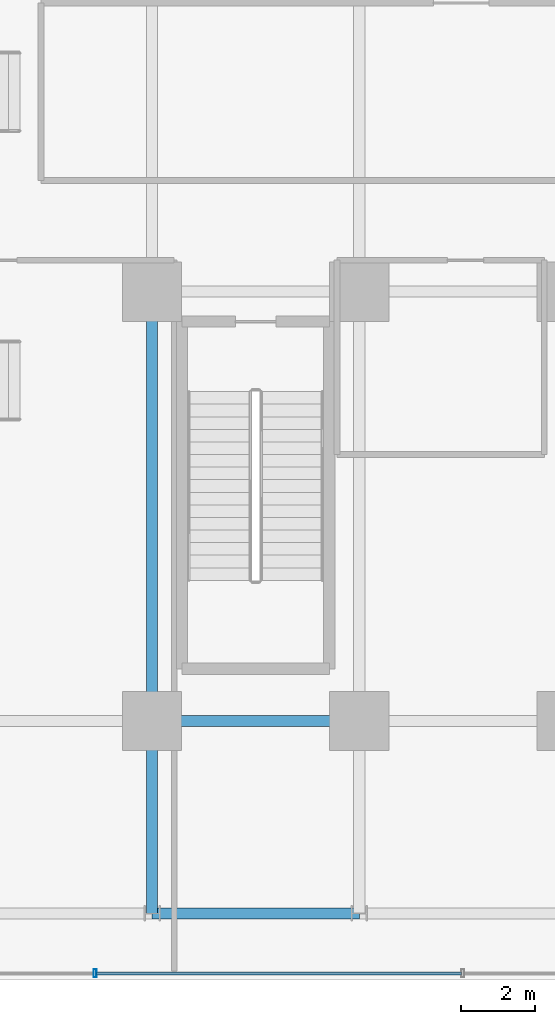
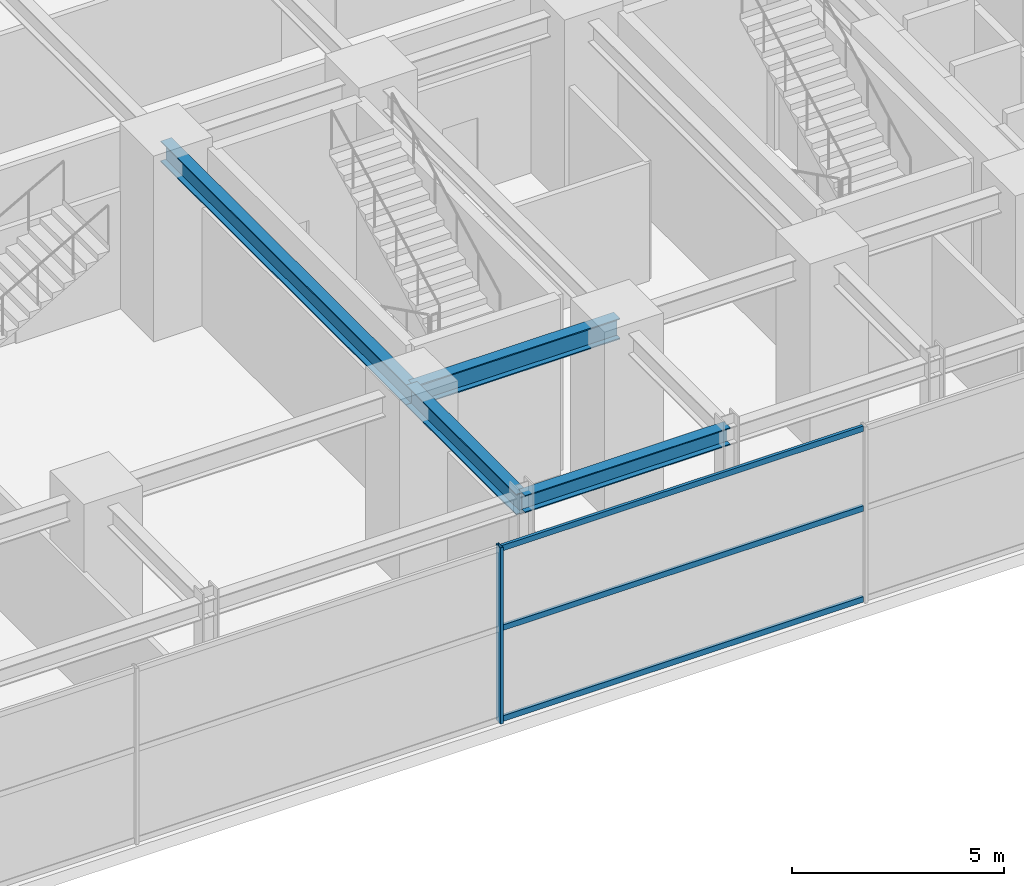
# One storey, part 6 of 34: 4 beams, 4 members, 1 element without a shape of its own.
"""IFC4 building model written with IfcOpenShell, lengths in metres."""

from ifc_helpers import new_model, si_unit, direction, frame, origin, origin_2d, place, context, subcontext, project, spatial, hollow_rectangle, i_section, extrude, source, transform, mapped, material, material_profile, profile_set, type_object, element, aggregate, save


model = new_model("IFC4")

# Units and contexts
model_context = context("Model", 3, precision=1e-05, world=origin(), true_north=direction((0.0, 1.0)))
body_context = subcontext(model_context, "Body", "Model", "MODEL_VIEW")
ifc_project = project(units=[si_unit("LENGTHUNIT", "METRE"), si_unit("AREAUNIT", "SQUARE_METRE"), si_unit("VOLUMEUNIT", "CUBIC_METRE"), si_unit("PLANEANGLEUNIT", "RADIAN"), si_unit("MASSUNIT", "GRAM", prefix="KILO")], contexts=[model_context])

# Site, building, storey
site_placement = place(None, origin())
site = spatial("IfcSite", under=ifc_project, at=site_placement, CompositionType="ELEMENT")
building_placement = place(site_placement, origin())
building = spatial("IfcBuilding", under=site, at=building_placement, Name="Nahalor Promenade Grand Hotel", CompositionType="ELEMENT")
storey_placement = place(building_placement, frame((0.0, 0.0, 16.199951171875)))
storey = spatial("IfcBuildingStorey", under=building, at=storey_placement, Name="L03", CompositionType="ELEMENT", Elevation=16.199951171875)

# Beams
ifc_material_1 = material(Name="Steel S355JR", Category="steel")
ifc_material_profile_1 = material_profile(ifc_material_1, i_section(OverallWidth=0.3, OverallDepth=0.6, WebThickness=0.0155, FlangeThickness=0.03, at=origin_2d()), Name="HEB 600")
ifc_profile_set_1 = profile_set([ifc_material_profile_1], Name="Steel S355JR")
beam_type_1 = type_object("IfcBeamType", Name="Beam-Girder-HEB600", PredefinedType="BEAM", material=ifc_profile_set_1)
shared_shape_1 = source(origin(), body_context, "Body", "SweptSolid", [
    extrude(i_section(OverallWidth=0.3, OverallDepth=0.6, WebThickness=0.0155, FlangeThickness=0.03, at=origin_2d()), origin(), (0.0, 0.0, 1.0), 5.599853515625),
])
beam_1_placement = place(storey_placement, frame((-8.39990234375, -17.0, 4.780029296875), z_axis=(1.0, 0.0, 0.0), x_axis=(0.0, 1.0, 0.0)))
element("IfcBeam", 1, at=beam_1_placement, inside=storey, type_object=beam_type_1, Name="BM-L03-GX-0-3", PredefinedType="BEAM", context=body_context, shape_type="MappedRepresentation", body=[
    mapped(shared_shape_1, transform((0.0, 0.0, 0.0), scale=1.0)),
])
shared_shape_2 = source(origin(), body_context, "Body", "SweptSolid", [
    extrude(i_section(OverallWidth=0.3, OverallDepth=0.6, WebThickness=0.0155, FlangeThickness=0.03, at=origin_2d()), origin(), (0.0, 0.0, 1.0), 5.199951171875),
])
beam_2_placement = place(storey_placement, frame((-8.39990234375, -22.199951171875, 4.780029296875), z_axis=(0.0, 1.0, 0.0), x_axis=(-1.0, 0.0, 0.0)))
element("IfcBeam", 2, at=beam_2_placement, inside=storey, type_object=beam_type_1, Name="BM-L03-GY-1-0", PredefinedType="BEAM", context=body_context, shape_type="MappedRepresentation", body=[
    mapped(shared_shape_2, transform((0.0, 0.0, 0.0), scale=1.0)),
])
shared_shape_3 = source(origin(), body_context, "Body", "SweptSolid", [
    extrude(i_section(OverallWidth=0.3, OverallDepth=0.6, WebThickness=0.0155, FlangeThickness=0.03, at=origin_2d()), origin(), (0.0, 0.0, 1.0), 11.60009765625),
])
beam_3_placement = place(storey_placement, frame((-8.39990234375, -17.0, 4.780029296875), z_axis=(0.0, 1.0, 0.0), x_axis=(-1.0, 0.0, 0.0)))
element("IfcBeam", 3, at=beam_3_placement, inside=storey, type_object=beam_type_1, Name="BM-L03-GY-1-1", PredefinedType="BEAM", context=body_context, shape_type="MappedRepresentation", body=[
    mapped(shared_shape_3, transform((0.0, 0.0, 0.0), scale=1.0)),
])
ifc_material_profile_2 = material_profile(ifc_material_1, i_section(OverallWidth=0.3, OverallDepth=0.5, WebThickness=0.0145, FlangeThickness=0.028, at=origin_2d()), Name="HEB 500")
ifc_profile_set_2 = profile_set([ifc_material_profile_2], Name="Steel S355JR")
beam_type_2 = type_object("IfcBeamType", Name="Beam-Spandrel-HEB500", PredefinedType="SPANDREL", material=ifc_profile_set_2)
shared_shape_4 = source(origin(), body_context, "Body", "SweptSolid", [
    extrude(i_section(OverallWidth=0.3, OverallDepth=0.5, WebThickness=0.0145, FlangeThickness=0.028, at=origin_2d()), origin(), (0.0, 0.0, 1.0), 5.599853515625),
])
beam_4_placement = place(storey_placement, frame((-8.39990234375, -22.199951171875, 4.830078125), z_axis=(1.0, 0.0, 0.0), x_axis=(0.0, 1.0, 0.0)))
element("IfcBeam", 4, at=beam_4_placement, inside=storey, type_object=beam_type_2, Name="BM-L03-SP-S-1", PredefinedType="SPANDREL", context=body_context, shape_type="MappedRepresentation", body=[
    mapped(shared_shape_4, transform((0.0, 0.0, 0.0), scale=1.0)),
])

# Curtain wall, members
ifc_material_2 = material(Name="Anodised Bronze Aluminium EN AW-6063 T6", Category="aluminium")
curtain_wall_type = type_object("IfcCurtainWallType", Name="CW1 Waterfront Podium Bronze Arcade Curtain Wall", PredefinedType="USERDEFINED", material=ifc_material_2)
curtain_wall_placement = place(storey_placement, origin())
curtain_wall = element("IfcCurtainWall", 5, at=curtain_wall_placement, inside=storey, type_object=curtain_wall_type, Name="L03 Curtain Wall CW-L03-S", ObjectType="UNITISED_CURTAIN_WALL", PredefinedType="USERDEFINED")
ifc_material_profile_3 = material_profile(ifc_material_2, hollow_rectangle(XDim=0.08, YDim=0.22, WallThickness=0.005, at=origin_2d()), Name="CWM 80x220x5")
ifc_profile_set_3 = profile_set([ifc_material_profile_3], Name="Anodised Bronze Aluminium EN AW-6063 T6")
member_type_1 = type_object("IfcMemberType", Name="CWM1 Podium Bronze Mullion 80x220", PredefinedType="MULLION", material=ifc_profile_set_3)
shared_shape_5 = source(origin(), body_context, "Body", "SweptSolid", [
    extrude(hollow_rectangle(XDim=0.08, YDim=0.22, WallThickness=0.005, at=origin_2d()), origin(), (0.0, 0.0, 1.0), 5.080078125),
])
member_1_placement = place(storey_placement, frame((-9.93994140625, -23.820068359375, 0.0), z_axis=(0.0, 0.0, 1.0), x_axis=(1.0, 0.0, 0.0)))
member_1 = element("IfcMember", 6, at=member_1_placement, type_object=member_type_1, Name="CW-L03-S Mullion 2", PredefinedType="MULLION", context=body_context, shape_type="MappedRepresentation", body=[
    mapped(shared_shape_5, transform((0.0, 0.0, 0.0), scale=1.0)),
])
ifc_material_profile_4 = material_profile(ifc_material_2, hollow_rectangle(XDim=0.08, YDim=0.16, WallThickness=0.004, at=origin_2d()), Name="CWT 80x160x4")
ifc_profile_set_4 = profile_set([ifc_material_profile_4], Name="Anodised Bronze Aluminium EN AW-6063 T6")
member_type_2 = type_object("IfcMemberType", Name="CWT1 Podium Bronze Transom 80x160", PredefinedType="USERDEFINED", material=ifc_profile_set_4)
shared_shape_6 = source(origin(), body_context, "Body", "SweptSolid", [
    extrude(hollow_rectangle(XDim=0.08, YDim=0.16, WallThickness=0.004, at=origin_2d()), origin(), (0.0, 0.0, 1.0), 9.85986328125),
])
member_2_placement = place(storey_placement, frame((-9.89990234375, -23.820068359375, 0.080078125), z_axis=(1.0, 0.0, 0.0), x_axis=(0.0, 1.0, 0.0)))
member_2 = element("IfcMember", 7, at=member_2_placement, type_object=member_type_2, Name="CW-L03-S Transom 2-0", ObjectType="TRANSOM", PredefinedType="USERDEFINED", context=body_context, shape_type="MappedRepresentation", body=[
    mapped(shared_shape_6, transform((0.0, 0.0, 0.0), scale=1.0)),
])
member_3_placement = place(storey_placement, frame((-9.89990234375, -23.820068359375, 2.699951171875), z_axis=(1.0, 0.0, 0.0), x_axis=(0.0, 1.0, 0.0)))
member_3 = element("IfcMember", 8, at=member_3_placement, type_object=member_type_2, Name="CW-L03-S Transom 2-1", ObjectType="TRANSOM", PredefinedType="USERDEFINED", context=body_context, shape_type="MappedRepresentation", body=[
    mapped(shared_shape_6, transform((0.0, 0.0, 0.0), scale=1.0)),
])
member_4_placement = place(storey_placement, frame((-9.89990234375, -23.820068359375, 5.0), z_axis=(1.0, 0.0, 0.0), x_axis=(0.0, 1.0, 0.0)))
member_4 = element("IfcMember", 9, at=member_4_placement, type_object=member_type_2, Name="CW-L03-S Transom 2-2", ObjectType="TRANSOM", PredefinedType="USERDEFINED", context=body_context, shape_type="MappedRepresentation", body=[
    mapped(shared_shape_6, transform((0.0, 0.0, 0.0), scale=1.0)),
])
aggregate(curtain_wall, [member_1, member_2, member_3, member_4])

save(model, "model.ifc")
